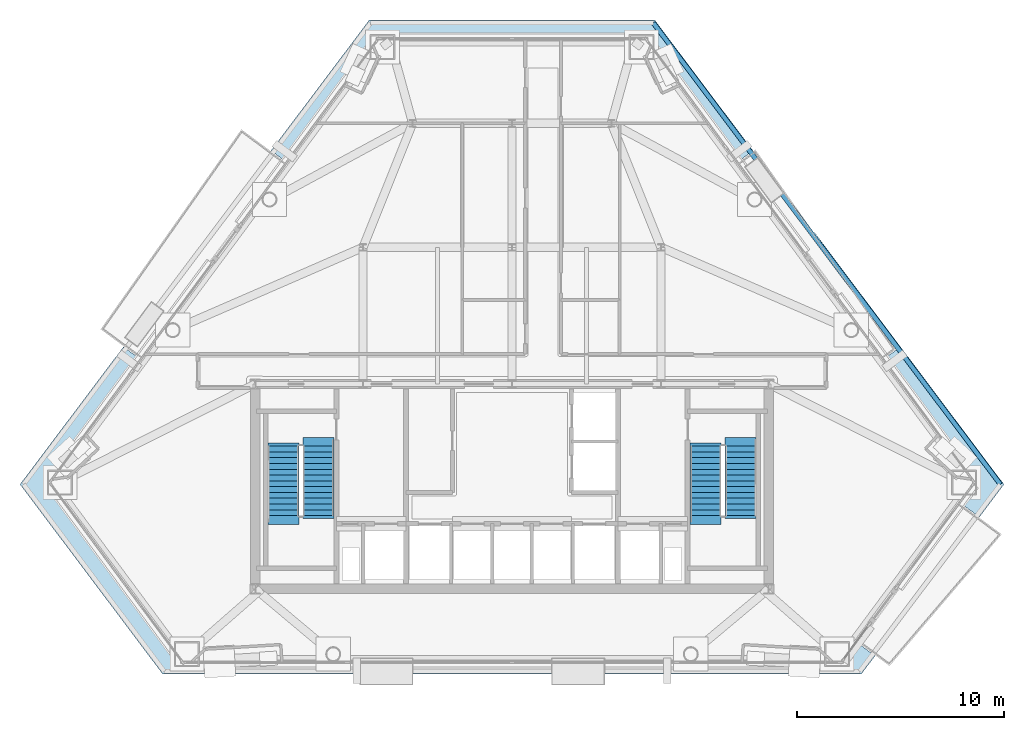
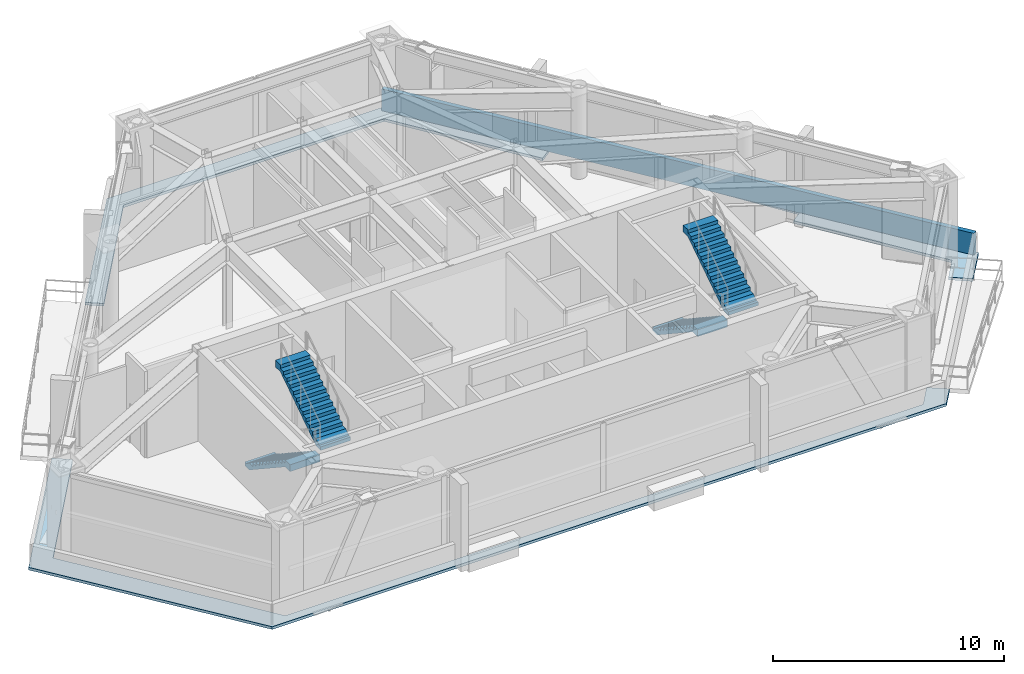
# One storey, part 7 of 9: 4 stair flights, 3 roofs, 1 wall, 2 elements without a shape of their own.
"""IFC4 building model written with IfcOpenShell, lengths in metres."""

from ifc_helpers import new_model, si_unit, direction, frame, frame_2d, origin, place, context, subcontext, project, spatial, polyline, rectangle, outline, extrude, material, layer, layer_set, type_object, element, aggregate, save


model = new_model("IFC4")

# Units and contexts
model_context = context("Model", 3, precision=1e-05, world=origin(), true_north=direction((0.0, 1.0)))
body_context = subcontext(model_context, "Body", "Model", "MODEL_VIEW")
ifc_project = project(units=[si_unit("LENGTHUNIT", "METRE"), si_unit("AREAUNIT", "SQUARE_METRE"), si_unit("VOLUMEUNIT", "CUBIC_METRE"), si_unit("PLANEANGLEUNIT", "RADIAN"), si_unit("MASSUNIT", "GRAM", prefix="KILO")], contexts=[model_context])

# Site, building, storey
site_placement = place(None, origin())
site = spatial("IfcSite", under=ifc_project, at=site_placement, CompositionType="ELEMENT")
building_placement = place(site_placement, origin())
building = spatial("IfcBuilding", under=site, at=building_placement, Name="Talgorran Terracotta Tower", CompositionType="ELEMENT")
storey_placement = place(building_placement, frame((0.0, 0.0, 94.800048828125)))
storey = spatial("IfcBuildingStorey", under=building, at=storey_placement, Name="L24", CompositionType="ELEMENT", Elevation=94.800048828125)

# Wall
ifc_material_1 = material(Name="Concrete C40/50", Category="concrete")
ifc_layer_1 = layer(ifc_material_1, 0.219970703125, Name="WT_PARAPET_RC")
ifc_layer_set_1 = layer_set([ifc_layer_1], Name="Concrete C40/50")
wall_type = type_object("IfcWallType", Name="WT_PARAPET_RC", PredefinedType="PARAPET", material=ifc_layer_set_1)
wall_placement = place(storey_placement, frame((23.594970703125, -9.0517578125, -0.02001953125), z_axis=(0.0, 0.0, 1.0), x_axis=(-0.601046808783, 0.799213822235, 0.0)))
element("IfcWall", 1, at=wall_placement, inside=storey, type_object=wall_type, Name="WL-L24-PARAPET-4", PredefinedType="PARAPET", context=body_context, shape_type="SweptSolid", body=[
    extrude(rectangle(XDim=27.8984375, YDim=0.219970703125, at=frame_2d((13.94921875, 0.0))), origin(), (0.0, 0.0, 1.0), 1.169921875),
])

# Stair, stair flights
stair_type = type_object("IfcStairType", Name="ST_FIRE_SCISSOR", PredefinedType="HALF_TURN_STAIR", material=ifc_material_1)
stair_1_placement = place(storey_placement, origin())
stair_1 = element("IfcStair", 2, at=stair_1_placement, inside=storey, type_object=stair_type, Name="L24 West Protected Fire Stair ST-01", PredefinedType="HALF_TURN_STAIR")
ifc_layer_2 = layer(ifc_material_1, 0.179931640625, Name="STF_RC_1500")
ifc_layer_set_2 = layer_set([ifc_layer_2], Name="Concrete C40/50")
stair_flight_type = type_object("IfcStairFlightType", Name="STF_RC_1500", PredefinedType="STRAIGHT", material=ifc_layer_set_2)
stair_flight_1_placement = place(storey_placement, frame((-11.050048828125, -7.199951171875, 0.0), z_axis=(0.0, 0.0, 1.0), x_axis=(0.0, -1.0, 0.0)))
stair_flight_1 = element("IfcStairFlight", 3, at=stair_flight_1_placement, type_object=stair_flight_type, Name="ST-01 flight 1", NumberOfRisers=13, NumberOfTreads=12, PredefinedType="STRAIGHT", RiserHeight=0.184615385, TreadLength=0.28, context=body_context, shape_type="SweptSolid", body=[
    extrude(outline(polyline([(-0.139892578125, 0.0), (-0.139892578125, 0.1845703125), (0.0, 0.1845703125), (0.280029296875, 0.369140625), (0.56005859375, 0.369140625), (0.56005859375, 0.553955078125), (0.840087890625, 0.553955078125), (0.840087890625, 0.738525390625), (1.1201171875, 0.738525390625), (1.1201171875, 0.923095703125), (1.39990234375, 0.923095703125), (1.39990234375, 1.107666015625), (1.679931640625, 1.107666015625), (1.679931640625, 1.292236328125), (1.9599609375, 1.292236328125), (1.9599609375, 1.476806640625), (2.239990234375, 1.476806640625), (2.239990234375, 1.66162109375), (2.52001953125, 1.66162109375), (2.52001953125, 1.84619140625), (2.800048828125, 1.84619140625), (2.800048828125, 2.03076171875), (3.080078125, 2.03076171875), (3.080078125, 2.21533203125), (3.360107421875, 2.21533203125), (3.360107421875, 2.39990234375), (3.780029296875, 2.39990234375), (3.780029296875, 2.035888671875), (3.360107421875, 2.035888671875), (0.272216796875, 0.0), (-0.139892578125, 0.0)])), frame((0.0, 0.75, 0.0), z_axis=(0.0, -1.0, 0.0), x_axis=(1.0, 0.0, 0.0)), (0.0, 0.0, 1.0), 1.5),
])
stair_flight_2_placement = place(storey_placement, frame((-9.35009765625, -10.56005859375, 2.39990234375), z_axis=(0.0, 0.0, 1.0), x_axis=(0.0, 1.0, 0.0)))
stair_flight_2 = element("IfcStairFlight", 4, at=stair_flight_2_placement, type_object=stair_flight_type, Name="ST-01 flight 2", NumberOfRisers=13, NumberOfTreads=12, PredefinedType="STRAIGHT", RiserHeight=0.184615385, TreadLength=0.28, context=body_context, shape_type="SweptSolid", body=[
    extrude(outline(polyline([(-0.139892578125, 0.0), (-0.139892578125, 0.1845703125), (0.0, 0.1845703125), (0.280029296875, 0.369140625), (0.56005859375, 0.369140625), (0.56005859375, 0.553955078125), (0.840087890625, 0.553955078125), (0.840087890625, 0.738525390625), (1.1201171875, 0.738525390625), (1.1201171875, 0.923095703125), (1.39990234375, 0.923095703125), (1.39990234375, 1.107666015625), (1.679931640625, 1.107666015625), (1.679931640625, 1.292236328125), (1.9599609375, 1.292236328125), (1.9599609375, 1.476806640625), (2.239990234375, 1.476806640625), (2.239990234375, 1.66162109375), (2.52001953125, 1.66162109375), (2.52001953125, 1.84619140625), (2.800048828125, 1.84619140625), (2.800048828125, 2.03076171875), (3.080078125, 2.03076171875), (3.080078125, 2.21533203125), (3.360107421875, 2.21533203125), (3.360107421875, 2.39990234375), (3.780029296875, 2.39990234375), (3.780029296875, 2.035888671875), (3.360107421875, 2.035888671875), (0.272216796875, 0.0), (-0.139892578125, 0.0)])), frame((0.0, 0.75, 0.0), z_axis=(0.0, -1.0, 0.0), x_axis=(1.0, 0.0, 0.0)), (0.0, 0.0, 1.0), 1.5),
])
aggregate(stair_1, [stair_flight_1, stair_flight_2])

stair_2_placement = place(storey_placement, origin())
stair_2 = element("IfcStair", 5, at=stair_2_placement, inside=storey, type_object=stair_type, Name="L24 East Protected Fire Stair ST-02", PredefinedType="HALF_TURN_STAIR")
stair_flight_3_placement = place(storey_placement, frame((9.35009765625, -7.199951171875, 0.0), z_axis=(0.0, 0.0, 1.0), x_axis=(0.0, -1.0, 0.0)))
stair_flight_3 = element("IfcStairFlight", 6, at=stair_flight_3_placement, type_object=stair_flight_type, Name="ST-02 flight 1", NumberOfRisers=13, NumberOfTreads=12, PredefinedType="STRAIGHT", RiserHeight=0.184615385, TreadLength=0.28, context=body_context, shape_type="SweptSolid", body=[
    extrude(outline(polyline([(-0.139892578125, 0.0), (-0.139892578125, 0.1845703125), (0.0, 0.1845703125), (0.280029296875, 0.369140625), (0.56005859375, 0.369140625), (0.56005859375, 0.553955078125), (0.840087890625, 0.553955078125), (0.840087890625, 0.738525390625), (1.1201171875, 0.738525390625), (1.1201171875, 0.923095703125), (1.39990234375, 0.923095703125), (1.39990234375, 1.107666015625), (1.679931640625, 1.107666015625), (1.679931640625, 1.292236328125), (1.9599609375, 1.292236328125), (1.9599609375, 1.476806640625), (2.239990234375, 1.476806640625), (2.239990234375, 1.66162109375), (2.52001953125, 1.66162109375), (2.52001953125, 1.84619140625), (2.800048828125, 1.84619140625), (2.800048828125, 2.03076171875), (3.080078125, 2.03076171875), (3.080078125, 2.21533203125), (3.360107421875, 2.21533203125), (3.360107421875, 2.39990234375), (3.780029296875, 2.39990234375), (3.780029296875, 2.035888671875), (3.360107421875, 2.035888671875), (0.272216796875, 0.0), (-0.139892578125, 0.0)])), frame((0.0, 0.75, 0.0), z_axis=(0.0, -1.0, 0.0), x_axis=(1.0, 0.0, 0.0)), (0.0, 0.0, 1.0), 1.5),
])
stair_flight_4_placement = place(storey_placement, frame((11.050048828125, -10.56005859375, 2.39990234375), z_axis=(0.0, 0.0, 1.0), x_axis=(0.0, 1.0, 0.0)))
stair_flight_4 = element("IfcStairFlight", 7, at=stair_flight_4_placement, type_object=stair_flight_type, Name="ST-02 flight 2", NumberOfRisers=13, NumberOfTreads=12, PredefinedType="STRAIGHT", RiserHeight=0.184615385, TreadLength=0.28, context=body_context, shape_type="SweptSolid", body=[
    extrude(outline(polyline([(-0.139892578125, 0.0), (-0.139892578125, 0.1845703125), (0.0, 0.1845703125), (0.280029296875, 0.369140625), (0.56005859375, 0.369140625), (0.56005859375, 0.553955078125), (0.840087890625, 0.553955078125), (0.840087890625, 0.738525390625), (1.1201171875, 0.738525390625), (1.1201171875, 0.923095703125), (1.39990234375, 0.923095703125), (1.39990234375, 1.107666015625), (1.679931640625, 1.107666015625), (1.679931640625, 1.292236328125), (1.9599609375, 1.292236328125), (1.9599609375, 1.476806640625), (2.239990234375, 1.476806640625), (2.239990234375, 1.66162109375), (2.52001953125, 1.66162109375), (2.52001953125, 1.84619140625), (2.800048828125, 1.84619140625), (2.800048828125, 2.03076171875), (3.080078125, 2.03076171875), (3.080078125, 2.21533203125), (3.360107421875, 2.21533203125), (3.360107421875, 2.39990234375), (3.780029296875, 2.39990234375), (3.780029296875, 2.035888671875), (3.360107421875, 2.035888671875), (0.272216796875, 0.0), (-0.139892578125, 0.0)])), frame((0.0, 0.75, 0.0), z_axis=(0.0, -1.0, 0.0), x_axis=(1.0, 0.0, 0.0)), (0.0, 0.0, 1.0), 1.5),
])
aggregate(stair_2, [stair_flight_3, stair_flight_4])

# Roofs
ifc_material_2 = material(Name="Standing-Seam Terracotta Metal Deck", Category="masonry")
ifc_layer_3 = layer(ifc_material_2, 0.139892578125, Name="RF_CROWN_TERRA")
ifc_layer_set_3 = layer_set([ifc_layer_3], Name="Standing-Seam Terracotta Metal Deck")
roof_type = type_object("IfcRoofType", Name="RF_CROWN_TERRA", PredefinedType="SHED_ROOF", material=ifc_layer_set_3)
roof_1_placement = place(storey_placement, frame((0.0, 0.0, -0.14013671875)))
element("IfcRoof", 8, at=roof_1_placement, inside=storey, type_object=roof_type, Name="L24 Setback Weathering Roof Apron 1", PredefinedType="FLAT_ROOF", context=body_context, shape_type="SweptSolid", body=[
    extrude(outline(polyline([(6.525634765625, 12.594970703125), (-6.525634765625, 12.594970703125), (-10.98095703125, 6.5791015625), (-11.64501953125, 7.071044921875), (-6.896484375, 13.385009765625), (6.896484375, 13.385009765625), (11.64501953125, 7.071044921875), (10.98095703125, 6.5791015625), (6.525634765625, 12.594970703125)])), origin(), (0.0, 0.0, 1.0), 0.14013671875),
])
roof_2_placement = place(storey_placement, frame((0.0, 0.0, -0.14013671875)))
element("IfcRoof", 9, at=roof_2_placement, inside=storey, type_object=roof_type, Name="L24 Setback Weathering Roof Apron 2", PredefinedType="FLAT_ROOF", context=body_context, shape_type="SweptSolid", body=[
    extrude(outline(polyline([(-15.965576171875, -17.772216796875), (15.965576171875, -17.772216796875), (16.733642578125, -16.735107421875), (17.541748046875, -17.33349609375), (16.873291015625, -18.22216796875), (-16.873291015625, -18.22216796875), (-23.77001953125, -9.0517578125), (-18.769287109375, -2.40234375), (-18.03564453125, -2.94580078125), (-22.4912109375, -8.96142578125), (-15.965576171875, -17.772216796875)])), origin(), (0.0, 0.0, 1.0), 0.14013671875),
])
roof_3_placement = place(storey_placement, frame((0.0, 0.0, -0.14013671875)))
element("IfcRoof", 10, at=roof_3_placement, inside=storey, type_object=roof_type, Name="L24 Setback Weathering Roof Apron 3", PredefinedType="FLAT_ROOF", context=body_context, shape_type="SweptSolid", body=[
    extrude(outline(polyline([(22.4912109375, -8.96142578125), (18.03564453125, -2.94580078125), (18.589599609375, -2.53564453125), (14.468505859375, 3.316650390625), (23.77001953125, -9.0517578125), (22.580322265625, -10.6337890625), (21.722900390625, -9.998779296875), (22.4912109375, -8.96142578125)])), origin(), (0.0, 0.0, 1.0), 0.14013671875),
])

save(model, "model.ifc")
